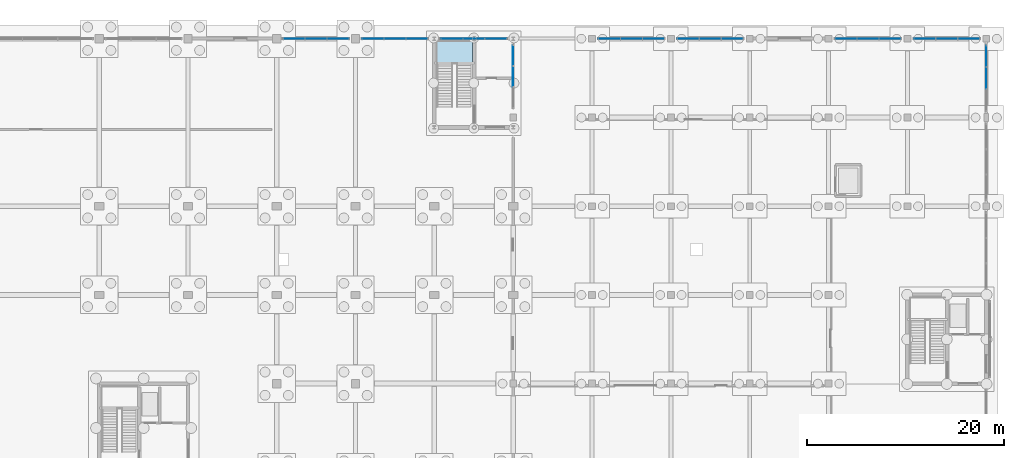
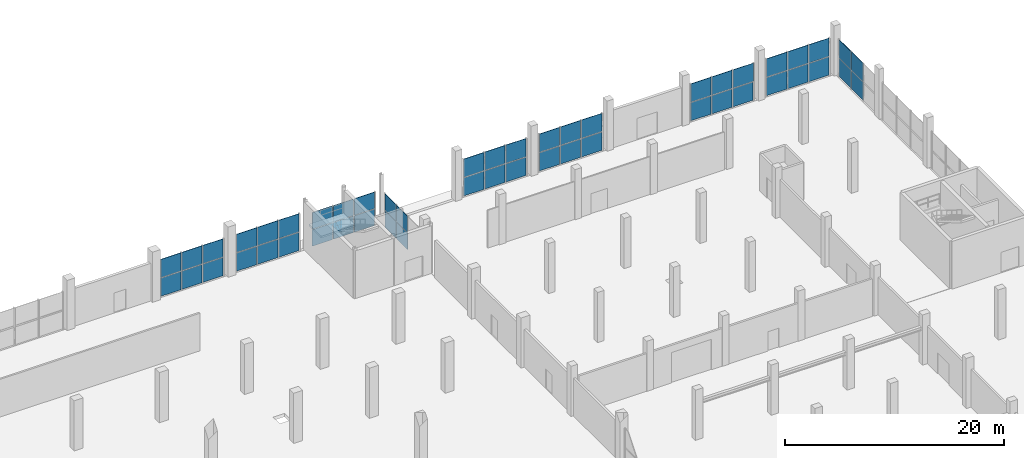
# One storey, part 71 of 98: 50 plates, 1 slab, 10 elements without a shape of their own.
"""IFC4 building model written with IfcOpenShell, lengths in metres."""

from ifc_helpers import new_model, si_unit, derived_unit, direction, frame, origin, origin_2d, place, context, subcontext, project, spatial, polyline, rectangle, outline, extrude, material, layer, layer_set, type_object, element, aggregate, save


model = new_model("IFC4")

# Units and contexts
model_context = context("Model", 3, precision=1e-05, world=origin(), true_north=direction((0.0, 1.0)))
body_context = subcontext(model_context, "Body", "Model", "MODEL_VIEW")
ifc_project = project(units=[si_unit("LENGTHUNIT", "METRE"), si_unit("AREAUNIT", "SQUARE_METRE"), si_unit("VOLUMEUNIT", "CUBIC_METRE"), si_unit("PLANEANGLEUNIT", "RADIAN"), si_unit("MASSUNIT", "GRAM", prefix="KILO"), si_unit("THERMODYNAMICTEMPERATUREUNIT", "KELVIN"), derived_unit("THERMALTRANSMITTANCEUNIT", [(si_unit("POWERUNIT", "WATT"), 1), (si_unit("AREAUNIT", "SQUARE_METRE"), -1), (si_unit("THERMODYNAMICTEMPERATUREUNIT", "KELVIN"), -1)])], contexts=[model_context])

# Site, building, storey
site_placement = place(None, origin())
site = spatial("IfcSite", under=ifc_project, at=site_placement, CompositionType="ELEMENT")
building_placement = place(site_placement, origin())
building = spatial("IfcBuilding", under=site, at=building_placement, Name="Haiyu Intermodal Mobility Hub", CompositionType="ELEMENT")
storey_placement = place(building_placement, origin())
storey = spatial("IfcBuildingStorey", under=building, at=storey_placement, Name="L00", CompositionType="ELEMENT", Elevation=0.0)

# Curtain wall, plates
ifc_material_1 = material(Name="Low-e laminated insulating glass", Category="glass")
ifc_layer_1 = layer(ifc_material_1, 0.219970703125)
ifc_layer_set_1 = layer_set([ifc_layer_1], Name="Low-e laminated insulating glass")
curtain_wall_type_1 = type_object("IfcCurtainWallType", Name="CW-CW01", PredefinedType="NOTDEFINED", material=ifc_layer_set_1)
curtain_wall_1_placement = place(storey_placement, origin())
curtain_wall_1 = element("IfcCurtainWall", 1, at=curtain_wall_1_placement, inside=storey, type_object=curtain_wall_type_1, Name="Curtain Wall CW-V4N-L00-047", PredefinedType="NOTDEFINED")
ifc_layer_2 = layer(ifc_material_1, 0.035888671875)
ifc_layer_set_2 = layer_set([ifc_layer_2], Name="Low-e laminated insulating glass")
plate_type_1 = type_object("IfcPlateType", Name="PLT-CP01", PredefinedType="CURTAIN_PANEL", material=ifc_layer_set_2)
plate_1_placement = place(storey_placement, frame((144.22705078125, 148.0, 0.03515625), z_axis=(0.0, 0.0, 1.0), x_axis=(-1.0, 0.0, 0.0)))
plate_1 = element("IfcPlate", 2, at=plate_1_placement, type_object=plate_type_1, Name="CW-V4N-L00-047-PN01", PredefinedType="CURTAIN_PANEL", context=body_context, shape_type="SweptSolid", body=[
    extrude(rectangle(XDim=2.136962890625, YDim=0.035888671875, at=origin_2d()), origin(), (0.0, 0.0, 1.0), 2.030029296875),
])
plate_2_placement = place(storey_placement, frame((142.0, 148.0, 0.03515625), z_axis=(0.0, 0.0, 1.0), x_axis=(-1.0, 0.0, 0.0)))
plate_2 = element("IfcPlate", 3, at=plate_2_placement, type_object=plate_type_1, Name="CW-V4N-L00-047-PN03", PredefinedType="CURTAIN_PANEL", context=body_context, shape_type="SweptSolid", body=[
    extrude(rectangle(XDim=2.136962890625, YDim=0.035888671875, at=origin_2d()), origin(), (0.0, 0.0, 1.0), 2.030029296875),
])
plate_3_placement = place(storey_placement, frame((139.77294921875, 148.0, 0.03515625), z_axis=(0.0, 0.0, 1.0), x_axis=(-1.0, 0.0, 0.0)))
plate_3 = element("IfcPlate", 4, at=plate_3_placement, type_object=plate_type_1, Name="CW-V4N-L00-047-PN05", PredefinedType="CURTAIN_PANEL", context=body_context, shape_type="SweptSolid", body=[
    extrude(rectangle(XDim=2.136962890625, YDim=0.035888671875, at=origin_2d()), origin(), (0.0, 0.0, 1.0), 2.030029296875),
])

curtain_wall_2_placement = place(storey_placement, origin())
curtain_wall_2 = element("IfcCurtainWall", 5, at=curtain_wall_2_placement, inside=storey, type_object=curtain_wall_type_1, Name="Curtain Wall CW-V4N-L00-048", PredefinedType="NOTDEFINED")
plate_4_placement = place(storey_placement, frame((152.22705078125, 148.0, 0.03515625), z_axis=(0.0, 0.0, 1.0), x_axis=(-1.0, 0.0, 0.0)))
plate_4 = element("IfcPlate", 6, at=plate_4_placement, type_object=plate_type_1, Name="CW-V4N-L00-048-PN01", PredefinedType="CURTAIN_PANEL", context=body_context, shape_type="SweptSolid", body=[
    extrude(rectangle(XDim=2.136962890625, YDim=0.035888671875, at=origin_2d()), origin(), (0.0, 0.0, 1.0), 2.030029296875),
])
plate_5_placement = place(storey_placement, frame((150.0, 148.0, 0.03515625), z_axis=(0.0, 0.0, 1.0), x_axis=(-1.0, 0.0, 0.0)))
plate_5 = element("IfcPlate", 7, at=plate_5_placement, type_object=plate_type_1, Name="CW-V4N-L00-048-PN03", PredefinedType="CURTAIN_PANEL", context=body_context, shape_type="SweptSolid", body=[
    extrude(rectangle(XDim=2.136962890625, YDim=0.035888671875, at=origin_2d()), origin(), (0.0, 0.0, 1.0), 2.030029296875),
])
plate_6_placement = place(storey_placement, frame((147.77294921875, 148.0, 0.03515625), z_axis=(0.0, 0.0, 1.0), x_axis=(-1.0, 0.0, 0.0)))
plate_6 = element("IfcPlate", 8, at=plate_6_placement, type_object=plate_type_1, Name="CW-V4N-L00-048-PN05", PredefinedType="CURTAIN_PANEL", context=body_context, shape_type="SweptSolid", body=[
    extrude(rectangle(XDim=2.136962890625, YDim=0.035888671875, at=origin_2d()), origin(), (0.0, 0.0, 1.0), 2.030029296875),
])

ifc_layer_3 = layer(ifc_material_1, 0.2099609375)
ifc_layer_set_3 = layer_set([ifc_layer_3], Name="Low-e laminated insulating glass")
curtain_wall_type_2 = type_object("IfcCurtainWallType", Name="CW-CW04", PredefinedType="NOTDEFINED", material=ifc_layer_set_3)
curtain_wall_3_placement = place(storey_placement, origin())
curtain_wall_3 = element("IfcCurtainWall", 9, at=curtain_wall_3_placement, inside=storey, type_object=curtain_wall_type_2, Name="Curtain Wall CW-V6E-L00-135", PredefinedType="NOTDEFINED")
plate_7_placement = place(storey_placement, frame((210.0, 144.0, 0.03515625), z_axis=(0.0, 0.0, 1.0), x_axis=(0.0, 1.0, 0.0)))
plate_7 = element("IfcPlate", 10, at=plate_7_placement, type_object=plate_type_1, Name="CW-V6E-L00-135-PN03", PredefinedType="CURTAIN_PANEL", context=body_context, shape_type="SweptSolid", body=[
    extrude(rectangle(XDim=2.136962890625, YDim=0.035888671875, at=origin_2d()), origin(), (0.0, 0.0, 1.0), 2.030029296875),
])
plate_8_placement = place(storey_placement, frame((210.0, 146.22705078125, 0.03515625), z_axis=(0.0, 0.0, 1.0), x_axis=(0.0, 1.0, 0.0)))
plate_8 = element("IfcPlate", 11, at=plate_8_placement, type_object=plate_type_1, Name="CW-V6E-L00-135-PN05", PredefinedType="CURTAIN_PANEL", context=body_context, shape_type="SweptSolid", body=[
    extrude(rectangle(XDim=2.136962890625, YDim=0.035888671875, at=origin_2d()), origin(), (0.0, 0.0, 1.0), 2.030029296875),
])

curtain_wall_4_placement = place(storey_placement, origin())
curtain_wall_4 = element("IfcCurtainWall", 12, at=curtain_wall_4_placement, inside=storey, type_object=curtain_wall_type_1, Name="Curtain Wall CW-V6N-L00-136", PredefinedType="NOTDEFINED")
plate_9_placement = place(storey_placement, frame((176.22705078125, 148.0, 0.03515625), z_axis=(0.0, 0.0, 1.0), x_axis=(-1.0, 0.0, 0.0)))
plate_9 = element("IfcPlate", 13, at=plate_9_placement, type_object=plate_type_1, Name="CW-V6N-L00-136-PN01", PredefinedType="CURTAIN_PANEL", context=body_context, shape_type="SweptSolid", body=[
    extrude(rectangle(XDim=2.136962890625, YDim=0.035888671875, at=origin_2d()), origin(), (0.0, 0.0, 1.0), 2.030029296875),
])
plate_10_placement = place(storey_placement, frame((174.0, 148.0, 0.03515625), z_axis=(0.0, 0.0, 1.0), x_axis=(-1.0, 0.0, 0.0)))
plate_10 = element("IfcPlate", 14, at=plate_10_placement, type_object=plate_type_1, Name="CW-V6N-L00-136-PN03", PredefinedType="CURTAIN_PANEL", context=body_context, shape_type="SweptSolid", body=[
    extrude(rectangle(XDim=2.136962890625, YDim=0.035888671875, at=origin_2d()), origin(), (0.0, 0.0, 1.0), 2.030029296875),
])
plate_11_placement = place(storey_placement, frame((171.77294921875, 148.0, 0.03515625), z_axis=(0.0, 0.0, 1.0), x_axis=(-1.0, 0.0, 0.0)))
plate_11 = element("IfcPlate", 15, at=plate_11_placement, type_object=plate_type_1, Name="CW-V6N-L00-136-PN05", PredefinedType="CURTAIN_PANEL", context=body_context, shape_type="SweptSolid", body=[
    extrude(rectangle(XDim=2.136962890625, YDim=0.035888671875, at=origin_2d()), origin(), (0.0, 0.0, 1.0), 2.030029296875),
])

curtain_wall_5_placement = place(storey_placement, origin())
curtain_wall_5 = element("IfcCurtainWall", 16, at=curtain_wall_5_placement, inside=storey, type_object=curtain_wall_type_1, Name="Curtain Wall CW-V6N-L00-137", PredefinedType="NOTDEFINED")
plate_12_placement = place(storey_placement, frame((184.22705078125, 148.0, 0.03515625), z_axis=(0.0, 0.0, 1.0), x_axis=(-1.0, 0.0, 0.0)))
plate_12 = element("IfcPlate", 17, at=plate_12_placement, type_object=plate_type_1, Name="CW-V6N-L00-137-PN01", PredefinedType="CURTAIN_PANEL", context=body_context, shape_type="SweptSolid", body=[
    extrude(rectangle(XDim=2.136962890625, YDim=0.035888671875, at=origin_2d()), origin(), (0.0, 0.0, 1.0), 2.030029296875),
])
plate_13_placement = place(storey_placement, frame((182.0, 148.0, 0.03515625), z_axis=(0.0, 0.0, 1.0), x_axis=(-1.0, 0.0, 0.0)))
plate_13 = element("IfcPlate", 18, at=plate_13_placement, type_object=plate_type_1, Name="CW-V6N-L00-137-PN03", PredefinedType="CURTAIN_PANEL", context=body_context, shape_type="SweptSolid", body=[
    extrude(rectangle(XDim=2.136962890625, YDim=0.035888671875, at=origin_2d()), origin(), (0.0, 0.0, 1.0), 2.030029296875),
])
plate_14_placement = place(storey_placement, frame((179.77294921875, 148.0, 0.03515625), z_axis=(0.0, 0.0, 1.0), x_axis=(-1.0, 0.0, 0.0)))
plate_14 = element("IfcPlate", 19, at=plate_14_placement, type_object=plate_type_1, Name="CW-V6N-L00-137-PN05", PredefinedType="CURTAIN_PANEL", context=body_context, shape_type="SweptSolid", body=[
    extrude(rectangle(XDim=2.136962890625, YDim=0.035888671875, at=origin_2d()), origin(), (0.0, 0.0, 1.0), 2.030029296875),
])

curtain_wall_6_placement = place(storey_placement, origin())
curtain_wall_6 = element("IfcCurtainWall", 20, at=curtain_wall_6_placement, inside=storey, type_object=curtain_wall_type_1, Name="Curtain Wall CW-V6N-L00-138", PredefinedType="NOTDEFINED")
plate_15_placement = place(storey_placement, frame((200.22705078125, 148.0, 0.03515625), z_axis=(0.0, 0.0, 1.0), x_axis=(-1.0, 0.0, 0.0)))
plate_15 = element("IfcPlate", 21, at=plate_15_placement, type_object=plate_type_1, Name="CW-V6N-L00-138-PN01", PredefinedType="CURTAIN_PANEL", context=body_context, shape_type="SweptSolid", body=[
    extrude(rectangle(XDim=2.136962890625, YDim=0.035888671875, at=origin_2d()), origin(), (0.0, 0.0, 1.0), 2.030029296875),
])
plate_16_placement = place(storey_placement, frame((198.0, 148.0, 0.03515625), z_axis=(0.0, 0.0, 1.0), x_axis=(-1.0, 0.0, 0.0)))
plate_16 = element("IfcPlate", 22, at=plate_16_placement, type_object=plate_type_1, Name="CW-V6N-L00-138-PN03", PredefinedType="CURTAIN_PANEL", context=body_context, shape_type="SweptSolid", body=[
    extrude(rectangle(XDim=2.136962890625, YDim=0.035888671875, at=origin_2d()), origin(), (0.0, 0.0, 1.0), 2.030029296875),
])
plate_17_placement = place(storey_placement, frame((195.77294921875, 148.0, 0.03515625), z_axis=(0.0, 0.0, 1.0), x_axis=(-1.0, 0.0, 0.0)))
plate_17 = element("IfcPlate", 23, at=plate_17_placement, type_object=plate_type_1, Name="CW-V6N-L00-138-PN05", PredefinedType="CURTAIN_PANEL", context=body_context, shape_type="SweptSolid", body=[
    extrude(rectangle(XDim=2.136962890625, YDim=0.035888671875, at=origin_2d()), origin(), (0.0, 0.0, 1.0), 2.030029296875),
])

curtain_wall_7_placement = place(storey_placement, origin())
curtain_wall_7 = element("IfcCurtainWall", 24, at=curtain_wall_7_placement, inside=storey, type_object=curtain_wall_type_1, Name="Curtain Wall CW-V6N-L00-139", PredefinedType="NOTDEFINED")
plate_18_placement = place(storey_placement, frame((208.22705078125, 148.0, 0.03515625), z_axis=(0.0, 0.0, 1.0), x_axis=(-1.0, 0.0, 0.0)))
plate_18 = element("IfcPlate", 25, at=plate_18_placement, type_object=plate_type_1, Name="CW-V6N-L00-139-PN01", PredefinedType="CURTAIN_PANEL", context=body_context, shape_type="SweptSolid", body=[
    extrude(rectangle(XDim=2.136962890625, YDim=0.035888671875, at=origin_2d()), origin(), (0.0, 0.0, 1.0), 2.030029296875),
])
plate_19_placement = place(storey_placement, frame((206.0, 148.0, 0.03515625), z_axis=(0.0, 0.0, 1.0), x_axis=(-1.0, 0.0, 0.0)))
plate_19 = element("IfcPlate", 26, at=plate_19_placement, type_object=plate_type_1, Name="CW-V6N-L00-139-PN03", PredefinedType="CURTAIN_PANEL", context=body_context, shape_type="SweptSolid", body=[
    extrude(rectangle(XDim=2.136962890625, YDim=0.035888671875, at=origin_2d()), origin(), (0.0, 0.0, 1.0), 2.030029296875),
])
plate_20_placement = place(storey_placement, frame((203.77294921875, 148.0, 0.03515625), z_axis=(0.0, 0.0, 1.0), x_axis=(-1.0, 0.0, 0.0)))
plate_20 = element("IfcPlate", 27, at=plate_20_placement, type_object=plate_type_1, Name="CW-V6N-L00-139-PN05", PredefinedType="CURTAIN_PANEL", context=body_context, shape_type="SweptSolid", body=[
    extrude(rectangle(XDim=2.136962890625, YDim=0.035888671875, at=origin_2d()), origin(), (0.0, 0.0, 1.0), 2.030029296875),
])

ifc_layer_4 = layer(ifc_material_1, 0.199951171875)
ifc_layer_set_4 = layer_set([ifc_layer_4], Name="Low-e laminated insulating glass")
curtain_wall_type_3 = type_object("IfcCurtainWallType", Name="CW-CW03", PredefinedType="NOTDEFINED", material=ifc_layer_set_4)
curtain_wall_8_placement = place(storey_placement, origin())
curtain_wall_8 = element("IfcCurtainWall", 28, at=curtain_wall_8_placement, inside=storey, type_object=curtain_wall_type_3, Name="Curtain Wall CW-C4N-L00-063", PredefinedType="NOTDEFINED")
ifc_layer_5 = layer(ifc_material_1, 0.0400390625)
ifc_layer_set_5 = layer_set([ifc_layer_5], Name="Low-e laminated insulating glass")
plate_type_2 = type_object("IfcPlateType", Name="PLT-CP03", PredefinedType="CURTAIN_PANEL", material=ifc_layer_set_5)
plate_21_placement = place(storey_placement, frame((160.22705078125, 148.0, 0.03515625), z_axis=(0.0, 0.0, 1.0), x_axis=(-1.0, 0.0, 0.0)))
plate_21 = element("IfcPlate", 29, at=plate_21_placement, type_object=plate_type_2, Name="CW-C4N-L00-063-PN01", PredefinedType="CURTAIN_PANEL", context=body_context, shape_type="SweptSolid", body=[
    extrude(rectangle(XDim=2.136962890625, YDim=0.0400390625, at=origin_2d()), origin(), (0.0, 0.0, 1.0), 1.840087890625),
])
plate_22_placement = place(storey_placement, frame((158.0, 148.0, 0.03515625), z_axis=(0.0, 0.0, 1.0), x_axis=(-1.0, 0.0, 0.0)))
plate_22 = element("IfcPlate", 30, at=plate_22_placement, type_object=plate_type_2, Name="CW-C4N-L00-063-PN03", PredefinedType="CURTAIN_PANEL", context=body_context, shape_type="SweptSolid", body=[
    extrude(rectangle(XDim=2.136962890625, YDim=0.0400390625, at=origin_2d()), origin(), (0.0, 0.0, 1.0), 1.840087890625),
])
plate_23_placement = place(storey_placement, frame((155.77294921875, 148.0, 0.03515625), z_axis=(0.0, 0.0, 1.0), x_axis=(-1.0, 0.0, 0.0)))
plate_23 = element("IfcPlate", 31, at=plate_23_placement, type_object=plate_type_2, Name="CW-C4N-L00-063-PN05", PredefinedType="CURTAIN_PANEL", context=body_context, shape_type="SweptSolid", body=[
    extrude(rectangle(XDim=2.136962890625, YDim=0.0400390625, at=origin_2d()), origin(), (0.0, 0.0, 1.0), 1.840087890625),
])

curtain_wall_9_placement = place(storey_placement, origin())
curtain_wall_9 = element("IfcCurtainWall", 32, at=curtain_wall_9_placement, inside=storey, type_object=curtain_wall_type_3, Name="Curtain Wall CW-C4S-L00-064", PredefinedType="NOTDEFINED")
plate_24_placement = place(storey_placement, frame((162.0, 144.1650390625, 0.03515625), z_axis=(0.0, 0.0, 1.0), x_axis=(0.0, 1.0, 0.0)))
plate_24 = element("IfcPlate", 33, at=plate_24_placement, type_object=plate_type_2, Name="CW-C4S-L00-064-PN03", PredefinedType="CURTAIN_PANEL", context=body_context, shape_type="SweptSolid", body=[
    extrude(rectangle(XDim=2.027099609375, YDim=0.0400390625, at=origin_2d()), origin(), (0.0, 0.0, 1.0), 1.840087890625),
])
plate_25_placement = place(storey_placement, frame((162.0, 146.281982421875, 0.03515625), z_axis=(0.0, 0.0, 1.0), x_axis=(0.0, 1.0, 0.0)))
plate_25 = element("IfcPlate", 34, at=plate_25_placement, type_object=plate_type_2, Name="CW-C4S-L00-064-PN05", PredefinedType="CURTAIN_PANEL", context=body_context, shape_type="SweptSolid", body=[
    extrude(rectangle(XDim=2.027099609375, YDim=0.0400390625, at=origin_2d()), origin(), (0.0, 0.0, 1.0), 1.840087890625),
])

# Plate
ifc_layer_6 = layer(ifc_material_1, 0.0439453125)
ifc_layer_set_6 = layer_set([ifc_layer_6], Name="Low-e laminated insulating glass")
plate_type_3 = type_object("IfcPlateType", Name="PLT-CP04", PredefinedType="CURTAIN_PANEL", material=ifc_layer_set_6)
plate_26_placement = place(storey_placement, frame((144.22705078125, 148.0, 2.134765625), z_axis=(0.0, 0.0, 1.0), x_axis=(-1.0, 0.0, 0.0)))
plate_26 = element("IfcPlate", 35, at=plate_26_placement, type_object=plate_type_3, Name="CW-V4N-L00-047-PN02", PredefinedType="CURTAIN_PANEL", context=body_context, shape_type="SweptSolid", body=[
    extrude(rectangle(XDim=2.136962890625, YDim=0.0439453125, at=origin_2d()), origin(), (0.0, 0.0, 1.0), 2.030029296875),
])

plate_27_placement = place(storey_placement, frame((142.0, 148.0, 2.134765625), z_axis=(0.0, 0.0, 1.0), x_axis=(-1.0, 0.0, 0.0)))
plate_27 = element("IfcPlate", 36, at=plate_27_placement, type_object=plate_type_3, Name="CW-V4N-L00-047-PN04", PredefinedType="CURTAIN_PANEL", context=body_context, shape_type="SweptSolid", body=[
    extrude(rectangle(XDim=2.136962890625, YDim=0.0439453125, at=origin_2d()), origin(), (0.0, 0.0, 1.0), 2.030029296875),
])

plate_28_placement = place(storey_placement, frame((139.77294921875, 148.0, 2.134765625), z_axis=(0.0, 0.0, 1.0), x_axis=(-1.0, 0.0, 0.0)))
plate_28 = element("IfcPlate", 37, at=plate_28_placement, type_object=plate_type_3, Name="CW-V4N-L00-047-PN06", PredefinedType="CURTAIN_PANEL", context=body_context, shape_type="SweptSolid", body=[
    extrude(rectangle(XDim=2.136962890625, YDim=0.0439453125, at=origin_2d()), origin(), (0.0, 0.0, 1.0), 2.030029296875),
])

aggregate(curtain_wall_1, [plate_1, plate_26, plate_2, plate_27, plate_3, plate_28])

plate_29_placement = place(storey_placement, frame((152.22705078125, 148.0, 2.134765625), z_axis=(0.0, 0.0, 1.0), x_axis=(-1.0, 0.0, 0.0)))
plate_29 = element("IfcPlate", 38, at=plate_29_placement, type_object=plate_type_3, Name="CW-V4N-L00-048-PN02", PredefinedType="CURTAIN_PANEL", context=body_context, shape_type="SweptSolid", body=[
    extrude(rectangle(XDim=2.136962890625, YDim=0.0439453125, at=origin_2d()), origin(), (0.0, 0.0, 1.0), 2.030029296875),
])

plate_30_placement = place(storey_placement, frame((150.0, 148.0, 2.134765625), z_axis=(0.0, 0.0, 1.0), x_axis=(-1.0, 0.0, 0.0)))
plate_30 = element("IfcPlate", 39, at=plate_30_placement, type_object=plate_type_3, Name="CW-V4N-L00-048-PN04", PredefinedType="CURTAIN_PANEL", context=body_context, shape_type="SweptSolid", body=[
    extrude(rectangle(XDim=2.136962890625, YDim=0.0439453125, at=origin_2d()), origin(), (0.0, 0.0, 1.0), 2.030029296875),
])

plate_31_placement = place(storey_placement, frame((147.77294921875, 148.0, 2.134765625), z_axis=(0.0, 0.0, 1.0), x_axis=(-1.0, 0.0, 0.0)))
plate_31 = element("IfcPlate", 40, at=plate_31_placement, type_object=plate_type_3, Name="CW-V4N-L00-048-PN06", PredefinedType="CURTAIN_PANEL", context=body_context, shape_type="SweptSolid", body=[
    extrude(rectangle(XDim=2.136962890625, YDim=0.0439453125, at=origin_2d()), origin(), (0.0, 0.0, 1.0), 2.030029296875),
])

aggregate(curtain_wall_2, [plate_4, plate_29, plate_5, plate_30, plate_6, plate_31])

plate_32_placement = place(storey_placement, frame((160.22705078125, 148.0, 1.94482421875), z_axis=(0.0, 0.0, 1.0), x_axis=(-1.0, 0.0, 0.0)))
plate_32 = element("IfcPlate", 41, at=plate_32_placement, type_object=plate_type_3, Name="CW-C4N-L00-063-PN02", PredefinedType="CURTAIN_PANEL", context=body_context, shape_type="SweptSolid", body=[
    extrude(rectangle(XDim=2.136962890625, YDim=0.0439453125, at=origin_2d()), origin(), (0.0, 0.0, 1.0), 1.840087890625),
])

plate_33_placement = place(storey_placement, frame((158.0, 148.0, 1.94482421875), z_axis=(0.0, 0.0, 1.0), x_axis=(-1.0, 0.0, 0.0)))
plate_33 = element("IfcPlate", 42, at=plate_33_placement, type_object=plate_type_3, Name="CW-C4N-L00-063-PN04", PredefinedType="CURTAIN_PANEL", context=body_context, shape_type="SweptSolid", body=[
    extrude(rectangle(XDim=2.136962890625, YDim=0.0439453125, at=origin_2d()), origin(), (0.0, 0.0, 1.0), 1.840087890625),
])

plate_34_placement = place(storey_placement, frame((155.77294921875, 148.0, 1.94482421875), z_axis=(0.0, 0.0, 1.0), x_axis=(-1.0, 0.0, 0.0)))
plate_34 = element("IfcPlate", 43, at=plate_34_placement, type_object=plate_type_3, Name="CW-C4N-L00-063-PN06", PredefinedType="CURTAIN_PANEL", context=body_context, shape_type="SweptSolid", body=[
    extrude(rectangle(XDim=2.136962890625, YDim=0.0439453125, at=origin_2d()), origin(), (0.0, 0.0, 1.0), 1.840087890625),
])

aggregate(curtain_wall_8, [plate_21, plate_32, plate_22, plate_33, plate_23, plate_34])

plate_35_placement = place(storey_placement, frame((162.0, 144.1650390625, 1.94482421875), z_axis=(0.0, 0.0, 1.0), x_axis=(0.0, 1.0, 0.0)))
plate_35 = element("IfcPlate", 44, at=plate_35_placement, type_object=plate_type_3, Name="CW-C4S-L00-064-PN04", PredefinedType="CURTAIN_PANEL", context=body_context, shape_type="SweptSolid", body=[
    extrude(rectangle(XDim=2.027099609375, YDim=0.0439453125, at=origin_2d()), origin(), (0.0, 0.0, 1.0), 1.840087890625),
])

plate_36_placement = place(storey_placement, frame((162.0, 146.281982421875, 1.94482421875), z_axis=(0.0, 0.0, 1.0), x_axis=(0.0, 1.0, 0.0)))
plate_36 = element("IfcPlate", 45, at=plate_36_placement, type_object=plate_type_3, Name="CW-C4S-L00-064-PN06", PredefinedType="CURTAIN_PANEL", context=body_context, shape_type="SweptSolid", body=[
    extrude(rectangle(XDim=2.027099609375, YDim=0.0439453125, at=origin_2d()), origin(), (0.0, 0.0, 1.0), 1.840087890625),
])

aggregate(curtain_wall_9, [plate_24, plate_35, plate_25, plate_36])

plate_37_placement = place(storey_placement, frame((210.0, 144.0, 2.134765625), z_axis=(0.0, 0.0, 1.0), x_axis=(0.0, 1.0, 0.0)))
plate_37 = element("IfcPlate", 46, at=plate_37_placement, type_object=plate_type_3, Name="CW-V6E-L00-135-PN04", PredefinedType="CURTAIN_PANEL", context=body_context, shape_type="SweptSolid", body=[
    extrude(rectangle(XDim=2.136962890625, YDim=0.0439453125, at=origin_2d()), origin(), (0.0, 0.0, 1.0), 2.030029296875),
])

plate_38_placement = place(storey_placement, frame((210.0, 146.22705078125, 2.134765625), z_axis=(0.0, 0.0, 1.0), x_axis=(0.0, 1.0, 0.0)))
plate_38 = element("IfcPlate", 47, at=plate_38_placement, type_object=plate_type_3, Name="CW-V6E-L00-135-PN06", PredefinedType="CURTAIN_PANEL", context=body_context, shape_type="SweptSolid", body=[
    extrude(rectangle(XDim=2.136962890625, YDim=0.0439453125, at=origin_2d()), origin(), (0.0, 0.0, 1.0), 2.030029296875),
])

aggregate(curtain_wall_3, [plate_7, plate_37, plate_8, plate_38])

plate_39_placement = place(storey_placement, frame((176.22705078125, 148.0, 2.134765625), z_axis=(0.0, 0.0, 1.0), x_axis=(-1.0, 0.0, 0.0)))
plate_39 = element("IfcPlate", 48, at=plate_39_placement, type_object=plate_type_3, Name="CW-V6N-L00-136-PN02", PredefinedType="CURTAIN_PANEL", context=body_context, shape_type="SweptSolid", body=[
    extrude(rectangle(XDim=2.136962890625, YDim=0.0439453125, at=origin_2d()), origin(), (0.0, 0.0, 1.0), 2.030029296875),
])

plate_40_placement = place(storey_placement, frame((174.0, 148.0, 2.134765625), z_axis=(0.0, 0.0, 1.0), x_axis=(-1.0, 0.0, 0.0)))
plate_40 = element("IfcPlate", 49, at=plate_40_placement, type_object=plate_type_3, Name="CW-V6N-L00-136-PN04", PredefinedType="CURTAIN_PANEL", context=body_context, shape_type="SweptSolid", body=[
    extrude(rectangle(XDim=2.136962890625, YDim=0.0439453125, at=origin_2d()), origin(), (0.0, 0.0, 1.0), 2.030029296875),
])

plate_41_placement = place(storey_placement, frame((171.77294921875, 148.0, 2.134765625), z_axis=(0.0, 0.0, 1.0), x_axis=(-1.0, 0.0, 0.0)))
plate_41 = element("IfcPlate", 50, at=plate_41_placement, type_object=plate_type_3, Name="CW-V6N-L00-136-PN06", PredefinedType="CURTAIN_PANEL", context=body_context, shape_type="SweptSolid", body=[
    extrude(rectangle(XDim=2.136962890625, YDim=0.0439453125, at=origin_2d()), origin(), (0.0, 0.0, 1.0), 2.030029296875),
])

aggregate(curtain_wall_4, [plate_9, plate_39, plate_10, plate_40, plate_11, plate_41])

plate_42_placement = place(storey_placement, frame((184.22705078125, 148.0, 2.134765625), z_axis=(0.0, 0.0, 1.0), x_axis=(-1.0, 0.0, 0.0)))
plate_42 = element("IfcPlate", 51, at=plate_42_placement, type_object=plate_type_3, Name="CW-V6N-L00-137-PN02", PredefinedType="CURTAIN_PANEL", context=body_context, shape_type="SweptSolid", body=[
    extrude(rectangle(XDim=2.136962890625, YDim=0.0439453125, at=origin_2d()), origin(), (0.0, 0.0, 1.0), 2.030029296875),
])

plate_43_placement = place(storey_placement, frame((182.0, 148.0, 2.134765625), z_axis=(0.0, 0.0, 1.0), x_axis=(-1.0, 0.0, 0.0)))
plate_43 = element("IfcPlate", 52, at=plate_43_placement, type_object=plate_type_3, Name="CW-V6N-L00-137-PN04", PredefinedType="CURTAIN_PANEL", context=body_context, shape_type="SweptSolid", body=[
    extrude(rectangle(XDim=2.136962890625, YDim=0.0439453125, at=origin_2d()), origin(), (0.0, 0.0, 1.0), 2.030029296875),
])

plate_44_placement = place(storey_placement, frame((179.77294921875, 148.0, 2.134765625), z_axis=(0.0, 0.0, 1.0), x_axis=(-1.0, 0.0, 0.0)))
plate_44 = element("IfcPlate", 53, at=plate_44_placement, type_object=plate_type_3, Name="CW-V6N-L00-137-PN06", PredefinedType="CURTAIN_PANEL", context=body_context, shape_type="SweptSolid", body=[
    extrude(rectangle(XDim=2.136962890625, YDim=0.0439453125, at=origin_2d()), origin(), (0.0, 0.0, 1.0), 2.030029296875),
])

aggregate(curtain_wall_5, [plate_12, plate_42, plate_13, plate_43, plate_14, plate_44])

plate_45_placement = place(storey_placement, frame((200.22705078125, 148.0, 2.134765625), z_axis=(0.0, 0.0, 1.0), x_axis=(-1.0, 0.0, 0.0)))
plate_45 = element("IfcPlate", 54, at=plate_45_placement, type_object=plate_type_3, Name="CW-V6N-L00-138-PN02", PredefinedType="CURTAIN_PANEL", context=body_context, shape_type="SweptSolid", body=[
    extrude(rectangle(XDim=2.136962890625, YDim=0.0439453125, at=origin_2d()), origin(), (0.0, 0.0, 1.0), 2.030029296875),
])

plate_46_placement = place(storey_placement, frame((198.0, 148.0, 2.134765625), z_axis=(0.0, 0.0, 1.0), x_axis=(-1.0, 0.0, 0.0)))
plate_46 = element("IfcPlate", 55, at=plate_46_placement, type_object=plate_type_3, Name="CW-V6N-L00-138-PN04", PredefinedType="CURTAIN_PANEL", context=body_context, shape_type="SweptSolid", body=[
    extrude(rectangle(XDim=2.136962890625, YDim=0.0439453125, at=origin_2d()), origin(), (0.0, 0.0, 1.0), 2.030029296875),
])

plate_47_placement = place(storey_placement, frame((195.77294921875, 148.0, 2.134765625), z_axis=(0.0, 0.0, 1.0), x_axis=(-1.0, 0.0, 0.0)))
plate_47 = element("IfcPlate", 56, at=plate_47_placement, type_object=plate_type_3, Name="CW-V6N-L00-138-PN06", PredefinedType="CURTAIN_PANEL", context=body_context, shape_type="SweptSolid", body=[
    extrude(rectangle(XDim=2.136962890625, YDim=0.0439453125, at=origin_2d()), origin(), (0.0, 0.0, 1.0), 2.030029296875),
])

aggregate(curtain_wall_6, [plate_15, plate_45, plate_16, plate_46, plate_17, plate_47])

plate_48_placement = place(storey_placement, frame((208.22705078125, 148.0, 2.134765625), z_axis=(0.0, 0.0, 1.0), x_axis=(-1.0, 0.0, 0.0)))
plate_48 = element("IfcPlate", 57, at=plate_48_placement, type_object=plate_type_3, Name="CW-V6N-L00-139-PN02", PredefinedType="CURTAIN_PANEL", context=body_context, shape_type="SweptSolid", body=[
    extrude(rectangle(XDim=2.136962890625, YDim=0.0439453125, at=origin_2d()), origin(), (0.0, 0.0, 1.0), 2.030029296875),
])

plate_49_placement = place(storey_placement, frame((206.0, 148.0, 2.134765625), z_axis=(0.0, 0.0, 1.0), x_axis=(-1.0, 0.0, 0.0)))
plate_49 = element("IfcPlate", 58, at=plate_49_placement, type_object=plate_type_3, Name="CW-V6N-L00-139-PN04", PredefinedType="CURTAIN_PANEL", context=body_context, shape_type="SweptSolid", body=[
    extrude(rectangle(XDim=2.136962890625, YDim=0.0439453125, at=origin_2d()), origin(), (0.0, 0.0, 1.0), 2.030029296875),
])

plate_50_placement = place(storey_placement, frame((203.77294921875, 148.0, 2.134765625), z_axis=(0.0, 0.0, 1.0), x_axis=(-1.0, 0.0, 0.0)))
plate_50 = element("IfcPlate", 59, at=plate_50_placement, type_object=plate_type_3, Name="CW-V6N-L00-139-PN06", PredefinedType="CURTAIN_PANEL", context=body_context, shape_type="SweptSolid", body=[
    extrude(rectangle(XDim=2.136962890625, YDim=0.0439453125, at=origin_2d()), origin(), (0.0, 0.0, 1.0), 2.030029296875),
])

aggregate(curtain_wall_7, [plate_18, plate_48, plate_19, plate_49, plate_20, plate_50])

# Stair, slab
ifc_material_2 = material(Name="Concrete C40", Category="concrete")
stair_type = type_object("IfcStairType", Name="STR-ST01", PredefinedType="HALF_TURN_STAIR", material=ifc_material_2)
stair_placement = place(storey_placement, origin())
stair = element("IfcStair", 60, at=stair_placement, inside=storey, type_object=stair_type, Name="Exit Stair ST02 L00", PredefinedType="HALF_TURN_STAIR")
ifc_layer_7 = layer(ifc_material_2, 0.2099609375)
ifc_layer_set_7 = layer_set([ifc_layer_7], Name="Concrete C40")
slab_type = type_object("IfcSlabType", Name="SLB-SL13", PredefinedType="LANDING", material=ifc_layer_set_7)
slab_placement = place(storey_placement, frame((0.0, 0.0, 2.590087890625)))
slab = element("IfcSlab", 61, at=slab_placement, type_object=slab_type, Name="Stair Half-Landing STR-C4-L00-LND", PredefinedType="LANDING", context=body_context, shape_type="SweptSolid", body=[
    extrude(outline(polyline([(154.219970703125, 145.530029296875), (157.8701171875, 145.530029296875), (157.8701171875, 147.780029296875), (154.219970703125, 147.780029296875), (154.219970703125, 145.530029296875)])), origin(), (0.0, 0.0, 1.0), 0.2099609375),
])
aggregate(stair, [slab])

save(model, "model.ifc")
